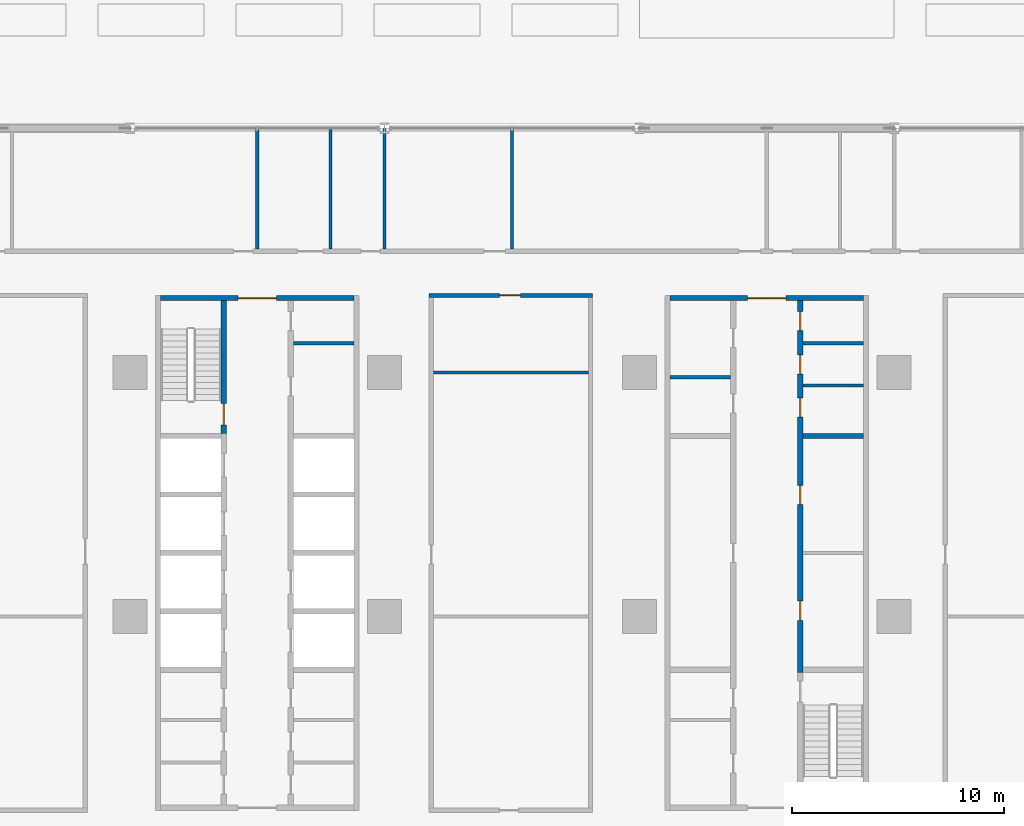
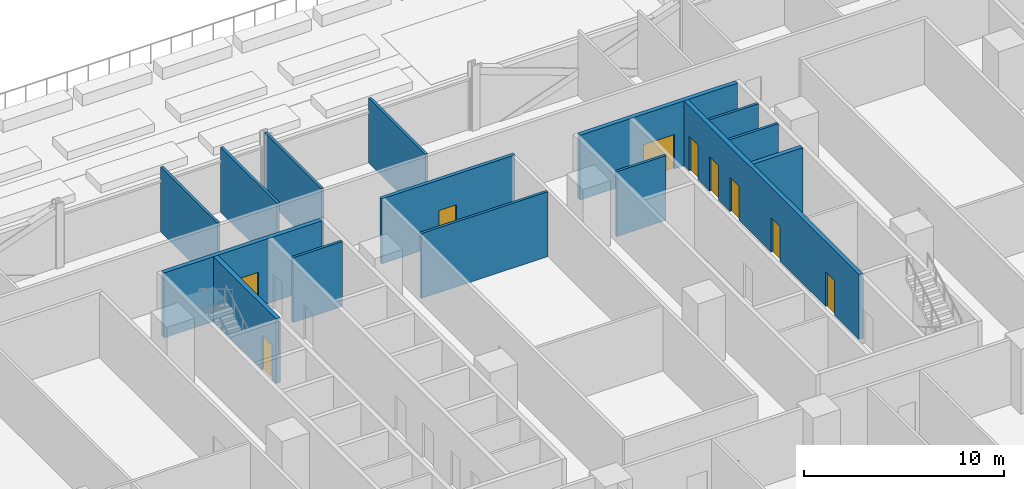
# One storey, part 14 of 39: 15 walls, 9 doors, 9 openings.
"""IFC4 building model written with IfcOpenShell, lengths in metres."""

from ifc_helpers import new_model, si_unit, direction, frame, frame_2d, origin, place, context, subcontext, project, spatial, rectangle, extrude, material, layer, layer_set, type_object, element, fill, save


model = new_model("IFC4")

# Units and contexts
model_context = context("Model", 3, precision=1e-05, world=origin(), true_north=direction((0.0, 1.0)))
body_context = subcontext(model_context, "Body", "Model", "MODEL_VIEW")
ifc_project = project(units=[si_unit("LENGTHUNIT", "METRE"), si_unit("AREAUNIT", "SQUARE_METRE"), si_unit("VOLUMEUNIT", "CUBIC_METRE"), si_unit("PLANEANGLEUNIT", "RADIAN"), si_unit("MASSUNIT", "GRAM", prefix="KILO")], contexts=[model_context])

# Site, building, storey
site_placement = place(None, origin())
site = spatial("IfcSite", under=ifc_project, at=site_placement, CompositionType="ELEMENT")
building_placement = place(site_placement, origin())
building = spatial("IfcBuilding", under=site, at=building_placement, Name="Mahtab Terrace Research Tower", CompositionType="ELEMENT")
storey_placement = place(building_placement, frame((0.0, 0.0, 7.199951171875)))
storey = spatial("IfcBuildingStorey", under=building, at=storey_placement, Name="L01", CompositionType="ELEMENT", Elevation=7.199951171875)

# Walls
ifc_material_1 = material(Name="Gypsum board partition")
ifc_layer_1 = layer(ifc_material_1, 0.14990234375)
ifc_layer_set_1 = layer_set([ifc_layer_1], Name="Core partition 150")
wall_type_1 = type_object("IfcWallType", Name="Core partition 150", PredefinedType="PARTITIONING", material=ifc_layer_set_1)
for number, where, z_axis, x_axis, name in (
    (1, (-22.300048828125, 12.875, 0.0), (0.0, 0.0, 1.0), (1.0, 0.0, 0.0), "Core wall A pEN988"),
    (2, (-4.550048828125, 11.27490234375, 0.0), (0.0, 0.0, 1.0), (1.0, 0.0, 0.0), "Core wall B pWN828"),
    (3, (1.699951171875, 10.875, 0.0), (0.0, 0.0, 1.0), (1.0, 0.0, 0.0), "Core wall B pEN788"),
    (4, (1.699951171875, 12.875, 0.0), (0.0, 0.0, 1.0), (1.0, 0.0, 0.0), "Core wall B pEN988"),
):
    element("IfcWall", number, at=place(storey_placement, frame(where, z_axis=z_axis, x_axis=x_axis)), inside=storey, type_object=wall_type_1, Name=name, PredefinedType="PARTITIONING", context=body_context, shape_type="SweptSolid", body=[
        extrude(rectangle(XDim=2.85009765625, YDim=0.14990234375, at=frame_2d((1.425048828125, 0.0))), origin(), (0.0, 0.0, 1.0), 3.9599609375),
    ])

# Wall, opening, door
ifc_material_2 = material(Name="Concrete C70/85", Category="concrete")
ifc_layer_2 = layer(ifc_material_2, 0.25)
ifc_layer_set_2 = layer_set([ifc_layer_2], Name="Core wall 250")
wall_type_2 = type_object("IfcWallType", Name="Core wall 250", PredefinedType="SOLIDWALL", material=ifc_layer_set_2)
wall_1_placement = place(storey_placement, frame((-28.550048828125, 15.0, 0.0), z_axis=(0.0, 0.0, 1.0), x_axis=(1.0, 0.0, 0.0)))
wall_1 = element("IfcWall", 5, at=wall_1_placement, inside=storey, type_object=wall_type_2, Name="Core wall A endN", PredefinedType="SOLIDWALL", context=body_context, shape_type="SweptSolid", body=[
    extrude(rectangle(XDim=9.10009765625, YDim=0.25, at=frame_2d((4.550048828125, 0.0))), origin(), (0.0, 0.0, 1.0), 3.9599609375),
])
opening_1_placement = place(wall_1_placement, frame((3.64990234375, 0.0, 0.0)))
opening_1 = element("IfcOpeningElement", 6, at=opening_1_placement, cuts=wall_1, Name="Opening A-N1", PredefinedType="OPENING", context=body_context, shape_type="SweptSolid", body=[
    extrude(rectangle(XDim=1.800048828125, YDim=2.10009765625, at=frame_2d((0.89990234375, 1.050048828125))), frame((0.0, 0.135009765625, 0.0), z_axis=(0.0, -1.0, 0.0), x_axis=(1.0, 0.0, 0.0)), (0.0, 0.0, 1.0), 0.27001953125),
])
ifc_material_3 = material(Name="Steel fire door", Category="steel")
door_type_1 = type_object("IfcDoorType", Name="Lobby double door 1800x2100 1 HR", OperationType="DOUBLE_DOOR_SINGLE_SWING", PredefinedType="DOOR", material=ifc_material_3)
door_1_placement = place(opening_1_placement, origin())
door_1 = element("IfcDoor", 7, at=door_1_placement, inside=storey, type_object=door_type_1, Name="Core entrance door A N", OperationType="DOUBLE_DOOR_SINGLE_SWING", OverallHeight=2.10009765625, OverallWidth=1.800048828125, PredefinedType="DOOR", context=body_context, shape_type="SweptSolid", body=[
    extrude(rectangle(XDim=1.800048828125, YDim=2.10009765625, at=frame_2d((0.89990234375, 1.050048828125))), frame((0.0, 0.02490234375, 0.0), z_axis=(0.0, -1.0, 0.0), x_axis=(1.0, 0.0, 0.0)), (0.0, 0.0, 1.0), 0.050048828125),
])
fill(opening_1, door_1)

wall_2_placement = place(storey_placement, frame((-25.574951171875, 14.875, 0.0), z_axis=(0.0, 0.0, 1.0), x_axis=(0.0, -1.0, 0.0)))
wall_2 = element("IfcWall", 8, at=wall_2_placement, inside=storey, type_object=wall_type_2, Name="Core wall A innerWN", PredefinedType="SOLIDWALL", context=body_context, shape_type="SweptSolid", body=[
    extrude(rectangle(XDim=6.25, YDim=0.25, at=frame_2d((3.125, 0.0))), origin(), (0.0, 0.0, 1.0), 3.9599609375),
])
opening_2_placement = place(wall_2_placement, frame((4.85009765625, 0.0, 0.0)))
opening_2 = element("IfcOpeningElement", 9, at=opening_2_placement, cuts=wall_2, Name="Opening A-ST1", PredefinedType="OPENING", context=body_context, shape_type="SweptSolid", body=[
    extrude(rectangle(XDim=1.0, YDim=2.10009765625, at=frame_2d((0.5, 1.050048828125))), frame((0.0, 0.135009765625, 0.0), z_axis=(0.0, -1.0, 0.0), x_axis=(1.0, 0.0, 0.0)), (0.0, 0.0, 1.0), 0.27001953125),
])
door_type_2 = type_object("IfcDoorType", Name="Stair door 1000x2100 1.5 HR", OperationType="NOTDEFINED", PredefinedType="DOOR", material=ifc_material_3)
door_2_placement = place(opening_2_placement, origin())
door_2 = element("IfcDoor", 10, at=door_2_placement, inside=storey, type_object=door_type_2, Name="Stair door ST1 L01", OperationType="SINGLE_SWING_LEFT", OverallHeight=2.10009765625, OverallWidth=1.0, PredefinedType="DOOR", context=body_context, shape_type="SweptSolid", body=[
    extrude(rectangle(XDim=1.0, YDim=2.10009765625, at=frame_2d((0.5, 1.050048828125))), frame((0.0, 0.02490234375, 0.0), z_axis=(0.0, -1.0, 0.0), x_axis=(1.0, 0.0, 0.0)), (0.0, 0.0, 1.0), 0.050048828125),
])
fill(opening_2, door_2)

wall_3_placement = place(storey_placement, frame((-4.550048828125, 15.0, 0.0), z_axis=(0.0, 0.0, 1.0), x_axis=(1.0, 0.0, 0.0)))
wall_3 = element("IfcWall", 11, at=wall_3_placement, inside=storey, type_object=wall_type_2, Name="Core wall B endN", PredefinedType="SOLIDWALL", context=body_context, shape_type="SweptSolid", body=[
    extrude(rectangle(XDim=9.10009765625, YDim=0.25, at=frame_2d((4.550048828125, 0.0))), origin(), (0.0, 0.0, 1.0), 3.9599609375),
])
opening_3_placement = place(wall_3_placement, frame((3.64990234375, 0.0, 0.0)))
opening_3 = element("IfcOpeningElement", 12, at=opening_3_placement, cuts=wall_3, Name="Opening B-N1", PredefinedType="OPENING", context=body_context, shape_type="SweptSolid", body=[
    extrude(rectangle(XDim=1.800048828125, YDim=2.10009765625, at=frame_2d((0.89990234375, 1.050048828125))), frame((0.0, 0.135009765625, 0.0), z_axis=(0.0, -1.0, 0.0), x_axis=(1.0, 0.0, 0.0)), (0.0, 0.0, 1.0), 0.27001953125),
])
door_3_placement = place(opening_3_placement, origin())
door_3 = element("IfcDoor", 13, at=door_3_placement, inside=storey, type_object=door_type_1, Name="Core entrance door B N", OperationType="DOUBLE_DOOR_SINGLE_SWING", OverallHeight=2.10009765625, OverallWidth=1.800048828125, PredefinedType="DOOR", context=body_context, shape_type="SweptSolid", body=[
    extrude(rectangle(XDim=1.800048828125, YDim=2.10009765625, at=frame_2d((0.89990234375, 1.050048828125))), frame((0.0, 0.02490234375, 0.0), z_axis=(0.0, -1.0, 0.0), x_axis=(1.0, 0.0, 0.0)), (0.0, 0.0, 1.0), 0.050048828125),
])
fill(opening_3, door_3)

# Wall, openings, doors
wall_4_placement = place(storey_placement, frame((1.574951171875, 14.875, 0.0), z_axis=(0.0, 0.0, 1.0), x_axis=(0.0, -1.0, 0.0)))
wall_4 = element("IfcWall", 14, at=wall_4_placement, inside=storey, type_object=wall_type_2, Name="Core wall B innerELN", PredefinedType="SOLIDWALL", context=body_context, shape_type="SweptSolid", body=[
    extrude(rectangle(XDim=17.5, YDim=0.25, at=frame_2d((8.75, 0.0))), origin(), (0.0, 0.0, 1.0), 3.9599609375),
])
opening_4_placement = place(wall_4_placement, frame((14.14990234375, 0.0, 0.0)))
opening_4 = element("IfcOpeningElement", 15, at=opening_4_placement, cuts=wall_4, Name="Opening B-R2", PredefinedType="OPENING", context=body_context, shape_type="SweptSolid", body=[
    extrude(rectangle(XDim=0.89990234375, YDim=2.10009765625, at=frame_2d((0.449951171875, 1.050048828125))), frame((0.0, 0.135009765625, 0.0), z_axis=(0.0, -1.0, 0.0), x_axis=(1.0, 0.0, 0.0)), (0.0, 0.0, 1.0), 0.27001953125),
])
opening_5_placement = place(wall_4_placement, frame((8.699951171875, 0.0, 0.0)))
opening_5 = element("IfcOpeningElement", 16, at=opening_5_placement, cuts=wall_4, Name="Opening B-R3", PredefinedType="OPENING", context=body_context, shape_type="SweptSolid", body=[
    extrude(rectangle(XDim=0.89990234375, YDim=2.10009765625, at=frame_2d((0.449951171875, 1.050048828125))), frame((0.0, 0.135009765625, 0.0), z_axis=(0.0, -1.0, 0.0), x_axis=(1.0, 0.0, 0.0)), (0.0, 0.0, 1.0), 0.27001953125),
])
opening_6_placement = place(wall_4_placement, frame((4.58740234375, 0.0, 0.0)))
opening_6 = element("IfcOpeningElement", 17, at=opening_6_placement, cuts=wall_4, Name="Opening B-R8", PredefinedType="OPENING", context=body_context, shape_type="SweptSolid", body=[
    extrude(rectangle(XDim=0.89990234375, YDim=2.10009765625, at=frame_2d((0.449951171875, 1.050048828125))), frame((0.0, 0.135009765625, 0.0), z_axis=(0.0, -1.0, 0.0), x_axis=(1.0, 0.0, 0.0)), (0.0, 0.0, 1.0), 0.27001953125),
])
opening_7_placement = place(wall_4_placement, frame((2.550048828125, 0.0, 0.0)))
opening_7 = element("IfcOpeningElement", 18, at=opening_7_placement, cuts=wall_4, Name="Opening B-R9", PredefinedType="OPENING", context=body_context, shape_type="SweptSolid", body=[
    extrude(rectangle(XDim=0.89990234375, YDim=2.10009765625, at=frame_2d((0.449951171875, 1.050048828125))), frame((0.0, 0.135009765625, 0.0), z_axis=(0.0, -1.0, 0.0), x_axis=(1.0, 0.0, 0.0)), (0.0, 0.0, 1.0), 0.27001953125),
])
opening_8_placement = place(wall_4_placement, frame((0.512451171875, 0.0, 0.0)))
opening_8 = element("IfcOpeningElement", 19, at=opening_8_placement, cuts=wall_4, Name="Opening B-R10", PredefinedType="OPENING", context=body_context, shape_type="SweptSolid", body=[
    extrude(rectangle(XDim=0.89990234375, YDim=2.10009765625, at=frame_2d((0.449951171875, 1.050048828125))), frame((0.0, 0.135009765625, 0.0), z_axis=(0.0, -1.0, 0.0), x_axis=(1.0, 0.0, 0.0)), (0.0, 0.0, 1.0), 0.27001953125),
])
door_type_3 = type_object("IfcDoorType", Name="Room door 900x2100 1 HR", OperationType="NOTDEFINED", PredefinedType="DOOR", material=ifc_material_3)
door_4_placement = place(opening_4_placement, origin())
door_4 = element("IfcDoor", 20, at=door_4_placement, inside=storey, type_object=door_type_3, Name="Document store door", OperationType="SINGLE_SWING_RIGHT", OverallHeight=2.10009765625, OverallWidth=0.89990234375, PredefinedType="DOOR", context=body_context, shape_type="SweptSolid", body=[
    extrude(rectangle(XDim=0.89990234375, YDim=2.10009765625, at=frame_2d((0.449951171875, 1.050048828125))), frame((0.0, 0.02490234375, 0.0), z_axis=(0.0, -1.0, 0.0), x_axis=(1.0, 0.0, 0.0)), (0.0, 0.0, 1.0), 0.050048828125),
])
fill(opening_4, door_4)
door_5_placement = place(opening_5_placement, origin())
door_5 = element("IfcDoor", 21, at=door_5_placement, inside=storey, type_object=door_type_3, Name="IT equipment room door", OperationType="SINGLE_SWING_LEFT", OverallHeight=2.10009765625, OverallWidth=0.89990234375, PredefinedType="DOOR", context=body_context, shape_type="SweptSolid", body=[
    extrude(rectangle(XDim=0.89990234375, YDim=2.10009765625, at=frame_2d((0.449951171875, 1.050048828125))), frame((0.0, 0.02490234375, 0.0), z_axis=(0.0, -1.0, 0.0), x_axis=(1.0, 0.0, 0.0)), (0.0, 0.0, 1.0), 0.050048828125),
])
fill(opening_5, door_5)
door_6_placement = place(opening_6_placement, origin())
door_6 = element("IfcDoor", 22, at=door_6_placement, inside=storey, type_object=door_type_3, Name="Male WC door", OperationType="SINGLE_SWING_RIGHT", OverallHeight=2.10009765625, OverallWidth=0.89990234375, PredefinedType="DOOR", context=body_context, shape_type="SweptSolid", body=[
    extrude(rectangle(XDim=0.89990234375, YDim=2.10009765625, at=frame_2d((0.449951171875, 1.050048828125))), frame((0.0, 0.02490234375, 0.0), z_axis=(0.0, -1.0, 0.0), x_axis=(1.0, 0.0, 0.0)), (0.0, 0.0, 1.0), 0.050048828125),
])
fill(opening_6, door_6)
door_7_placement = place(opening_7_placement, origin())
door_7 = element("IfcDoor", 23, at=door_7_placement, inside=storey, type_object=door_type_3, Name="Female WC door", OperationType="SINGLE_SWING_LEFT", OverallHeight=2.10009765625, OverallWidth=0.89990234375, PredefinedType="DOOR", context=body_context, shape_type="SweptSolid", body=[
    extrude(rectangle(XDim=0.89990234375, YDim=2.10009765625, at=frame_2d((0.449951171875, 1.050048828125))), frame((0.0, 0.02490234375, 0.0), z_axis=(0.0, -1.0, 0.0), x_axis=(1.0, 0.0, 0.0)), (0.0, 0.0, 1.0), 0.050048828125),
])
fill(opening_7, door_7)
door_8_placement = place(opening_8_placement, origin())
door_8 = element("IfcDoor", 24, at=door_8_placement, inside=storey, type_object=door_type_3, Name="Accessible WC door", OperationType="SINGLE_SWING_RIGHT", OverallHeight=2.10009765625, OverallWidth=0.89990234375, PredefinedType="DOOR", context=body_context, shape_type="SweptSolid", body=[
    extrude(rectangle(XDim=0.89990234375, YDim=2.10009765625, at=frame_2d((0.449951171875, 1.050048828125))), frame((0.0, 0.02490234375, 0.0), z_axis=(0.0, -1.0, 0.0), x_axis=(1.0, 0.0, 0.0)), (0.0, 0.0, 1.0), 0.050048828125),
])
fill(opening_8, door_8)

# Wall
wall_5_placement = place(storey_placement, frame((1.699951171875, 8.5, 0.0), z_axis=(0.0, 0.0, 1.0), x_axis=(1.0, 0.0, 0.0)))
element("IfcWall", 25, at=wall_5_placement, inside=storey, type_object=wall_type_2, Name="Core wall B divE4", PredefinedType="SOLIDWALL", context=body_context, shape_type="SweptSolid", body=[
    extrude(rectangle(XDim=2.85009765625, YDim=0.25, at=frame_2d((1.425048828125, 0.0))), origin(), (0.0, 0.0, 1.0), 3.9599609375),
])

# Wall, opening, door
ifc_material_4 = material(Name="Gypsum board corridor wall on steel studs", Category="steel")
ifc_layer_3 = layer(ifc_material_4, 0.199951171875)
ifc_layer_set_3 = layer_set([ifc_layer_3], Name="WALL CORRIDOR 200")
wall_type_3 = type_object("IfcWallType", Name="WALL CORRIDOR 200", PredefinedType="PARTITIONING", material=ifc_layer_set_3)
wall_6_placement = place(storey_placement, frame((-15.89990234375, 15.125, 0.0), z_axis=(0.0, 0.0, 1.0), x_axis=(1.0, 0.0, 0.0)))
wall_6 = element("IfcWall", 26, at=wall_6_placement, inside=storey, type_object=wall_type_3, Name="L01-W024", PredefinedType="PARTITIONING", context=body_context, shape_type="SweptSolid", body=[
    extrude(rectangle(XDim=7.699951171875, YDim=0.199951171875, at=frame_2d((3.85009765625, 0.0))), origin(), (0.0, 0.0, 1.0), 3.9599609375),
])
opening_9_placement = place(wall_6_placement, frame((3.300048828125, 0.0, 0.0)))
opening_9 = element("IfcOpeningElement", 27, at=opening_9_placement, cuts=wall_6, Name="Opening L01-128", PredefinedType="OPENING", context=body_context, shape_type="SweptSolid", body=[
    extrude(rectangle(XDim=1.0, YDim=2.10009765625, at=frame_2d((0.5, 1.050048828125))), frame((0.0, 0.10986328125, 0.0), z_axis=(0.0, -1.0, 0.0), x_axis=(1.0, 0.0, 0.0)), (0.0, 0.0, 1.0), 0.219970703125),
])
ifc_material_5 = material(Name="Timber door leaf in steel frame", Category="steel")
door_type_4 = type_object("IfcDoorType", Name="DOOR 1000X2100 FD30S", OperationType="SINGLE_SWING_LEFT", PredefinedType="DOOR", material=ifc_material_5)
door_9_placement = place(opening_9_placement, origin())
door_9 = element("IfcDoor", 28, at=door_9_placement, inside=storey, type_object=door_type_4, Name="Door L01-128", OperationType="SINGLE_SWING_RIGHT", OverallHeight=2.10009765625, OverallWidth=1.0, PredefinedType="DOOR", context=body_context, shape_type="SweptSolid", body=[
    extrude(rectangle(XDim=1.0, YDim=2.10009765625, at=frame_2d((0.5, 1.050048828125))), frame((0.0, 0.02490234375, 0.0), z_axis=(0.0, -1.0, 0.0), x_axis=(1.0, 0.0, 0.0)), (0.0, 0.0, 1.0), 0.050048828125),
])
fill(opening_9, door_9)

# Walls
ifc_material_6 = material(Name="Gypsum board partition on steel studs", Category="steel")
ifc_layer_4 = layer(ifc_material_6, 0.14990234375)
ifc_layer_set_4 = layer_set([ifc_layer_4], Name="WALL PARTITION 150")
wall_type_4 = type_object("IfcWallType", Name="WALL PARTITION 150", PredefinedType="PARTITIONING", material=ifc_layer_set_4)
wall_7_placement = place(storey_placement, frame((-15.699951171875, 11.5, 0.0), z_axis=(0.0, 0.0, 1.0), x_axis=(1.0, 0.0, 0.0)))
element("IfcWall", 29, at=wall_7_placement, inside=storey, type_object=wall_type_4, Name="L01-W020", PredefinedType="PARTITIONING", context=body_context, shape_type="SweptSolid", body=[
    extrude(rectangle(XDim=7.300048828125, YDim=0.14990234375, at=frame_2d((3.64990234375, 0.0))), origin(), (0.0, 0.0, 1.0), 3.9599609375),
])
for number, where, z_axis, x_axis, name in (
    (30, (-24.0, 17.300048828125, 0.0), (0.0, 0.0, 1.0), (0.0, 1.0, 0.0), "L01-W037"),
    (31, (-20.550048828125, 17.300048828125, 0.0), (0.0, 0.0, 1.0), (0.0, 1.0, 0.0), "L01-W038"),
    (32, (-18.0, 17.300048828125, 0.0), (0.0, 0.0, 1.0), (0.0, 1.0, 0.0), "L01-W040"),
    (33, (-12.0, 17.300048828125, 0.0), (0.0, 0.0, 1.0), (0.0, 1.0, 0.0), "L01-W043"),
):
    element("IfcWall", number, at=place(storey_placement, frame(where, z_axis=z_axis, x_axis=x_axis)), inside=storey, type_object=wall_type_4, Name=name, PredefinedType="PARTITIONING", context=body_context, shape_type="SweptSolid", body=[
        extrude(rectangle(XDim=5.675048828125, YDim=0.14990234375, at=frame_2d((2.83740234375, 0.0))), origin(), (0.0, 0.0, 1.0), 3.9599609375),
    ])

save(model, "model.ifc")
